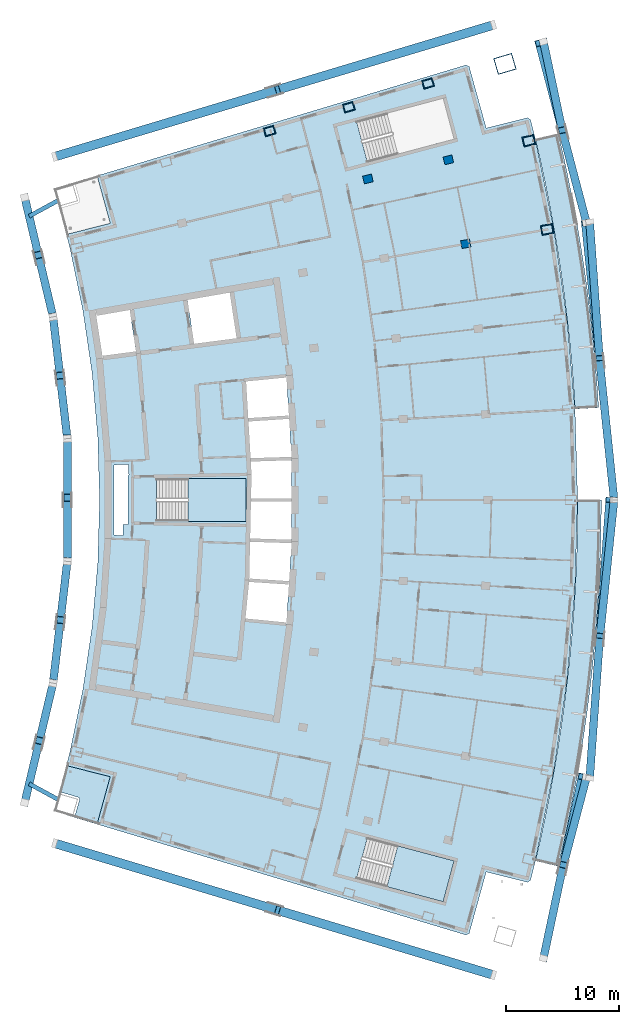
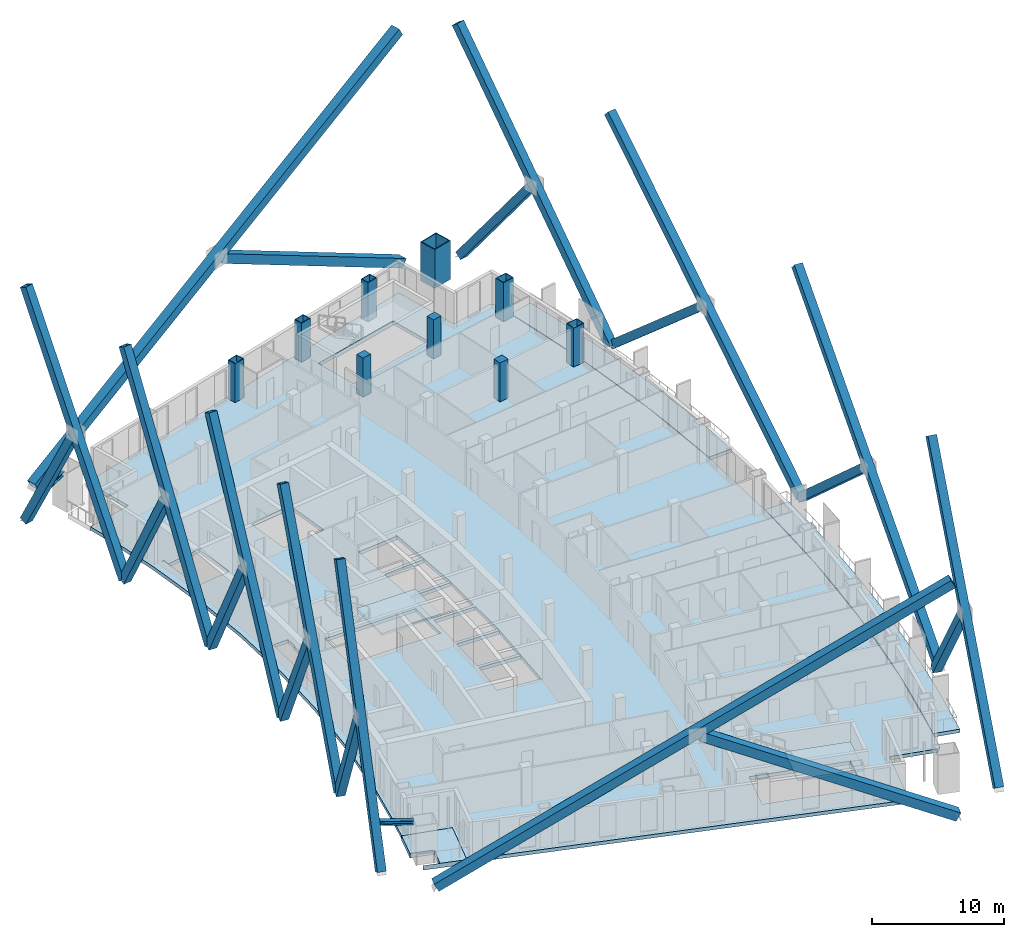
# One storey, part 8 of 20: 24 members, 9 columns, 6 slabs, 2 elements without a shape of their own.
"""IFC4 building model written with IfcOpenShell, lengths in metres."""

from ifc_helpers import new_model, si_unit, direction, frame, origin, origin_2d, place, context, subcontext, project, spatial, polyline, rectangle, hollow_rectangle, i_section, outline, extrude, material, layer, layer_set, material_profile, profile_set, type_object, element, aggregate, save


model = new_model("IFC4")

# Units and contexts
model_context = context("Model", 3, precision=1e-05, world=origin(), true_north=direction((0.0, 1.0)))
body_context = subcontext(model_context, "Body", "Model", "MODEL_VIEW")
ifc_project = project(units=[si_unit("LENGTHUNIT", "METRE"), si_unit("AREAUNIT", "SQUARE_METRE"), si_unit("VOLUMEUNIT", "CUBIC_METRE"), si_unit("PLANEANGLEUNIT", "RADIAN"), si_unit("MASSUNIT", "GRAM", prefix="KILO")], contexts=[model_context])

# Site, building, storey
site_placement = place(None, origin())
site = spatial("IfcSite", under=ifc_project, at=site_placement, CompositionType="ELEMENT")
building_placement = place(site_placement, origin())
building = spatial("IfcBuilding", under=site, at=building_placement, Name="Alderwake Tower", CompositionType="ELEMENT")
storey_placement = place(building_placement, frame((0.0, 0.0, 210.800048828125)))
storey = spatial("IfcBuildingStorey", under=building, at=storey_placement, Name="L52", CompositionType="ELEMENT", Elevation=210.800048828125)

# Columns
ifc_material_1 = material(Name="Steel ASTM A572 Grade 50 concrete filled C70/85", Category="concrete")
ifc_material_profile_1 = material_profile(ifc_material_1, hollow_rectangle(XDim=0.75, YDim=0.949951171875, WallThickness=0.054931640625, at=origin_2d()), Name="BOX 950X750X55")
ifc_profile_set_1 = profile_set([ifc_material_profile_1], Name="Steel ASTM A572 Grade 50 concrete filled C70/85")
column_type_1 = type_object("IfcColumnType", Name="End column Z4", PredefinedType="COLUMN", material=ifc_profile_set_1)
for number, where, z_axis, x_axis, name in (
    (1, (31.080322265625, 93.72314453125, 0.0), (0.0, 0.0, 1.0), (-0.282582549822, 0.959242984095, 0.0), "Column R12-C2"),
    (2, (38.10400390625, 95.831787109375, 0.0), (0.0, 0.0, 1.0), (-0.28287886882, 0.959155641997, 0.0), "Column R12-C3"),
    (3, (45.127685546875, 97.9404296875, 0.0), (0.0, 0.0, 1.0), (-0.283141682853, 0.959078092457, 0.0), "Column R12-C4"),
):
    element("IfcColumn", number, at=place(storey_placement, frame(where, z_axis=z_axis, x_axis=x_axis)), inside=storey, type_object=column_type_1, Name=name, PredefinedType="COLUMN", context=body_context, shape_type="SweptSolid", body=[
        extrude(hollow_rectangle(XDim=0.75, YDim=0.949951171875, WallThickness=0.054931640625, at=origin_2d()), origin(), (0.0, 0.0, 1.0), 3.599853515625),
    ])
ifc_material_2 = material(Name="Concrete C70/85", Category="concrete")
ifc_material_profile_2 = material_profile(ifc_material_2, rectangle(XDim=0.699951171875, YDim=0.800048828125, at=origin_2d()), Name="RC 800X700")
ifc_profile_set_2 = profile_set([ifc_material_profile_2], Name="Concrete C70/85")
column_type_2 = type_object("IfcColumnType", Name="Interior column Z4", PredefinedType="COLUMN", material=ifc_profile_set_2)
for number, where, z_axis, x_axis, name in (
    (4, (48.47412109375, 83.71533203125, 0.0), (0.0, 0.0, 1.0), (-0.174108800747, 0.984726421654, 0.0), "Column R10-C4"),
    (5, (39.79638671875, 89.47119140625, 0.0), (0.0, 0.0, 1.0), (-0.231221547198, 0.972901123502, 0.0), "Column R11-C3"),
    (6, (46.93115234375, 91.166748046875, 0.0), (0.0, 0.0, 1.0), (-0.231221547198, 0.972901123502, 0.0), "Column R11-C4"),
):
    element("IfcColumn", number, at=place(storey_placement, frame(where, z_axis=z_axis, x_axis=x_axis)), inside=storey, type_object=column_type_2, Name=name, PredefinedType="COLUMN", context=body_context, shape_type="SweptSolid", body=[
        extrude(rectangle(XDim=0.699951171875, YDim=0.800048828125, at=origin_2d()), origin(), (0.0, 0.0, 1.0), 3.599853515625),
    ])
ifc_material_3 = material(Name="Steel ASTM A572 Grade 50 concrete filled C70/85", Category="concrete")
ifc_material_profile_3 = material_profile(ifc_material_3, hollow_rectangle(XDim=1.5, YDim=1.699951171875, WallThickness=0.074951171875, at=origin_2d()), Name="BOX 1700X1500X75")
ifc_profile_set_3 = profile_set([ifc_material_profile_3], Name="Steel ASTM A572 Grade 50 concrete filled C70/85")
column_type_3 = type_object("IfcColumnType", Name="Mega column Z4", PredefinedType="COLUMN", material=ifc_profile_set_3)
column_placement = place(storey_placement, frame((51.9482421875, 99.677001953125, 0.0), z_axis=(0.0, 0.0, 1.0), x_axis=(-0.281288140428, 0.959623354267, 0.0)))
element("IfcColumn", 7, at=column_placement, inside=storey, type_object=column_type_3, Name="Column R12-C5", PredefinedType="COLUMN", context=body_context, shape_type="SweptSolid", body=[
    extrude(hollow_rectangle(XDim=1.5, YDim=1.699951171875, WallThickness=0.074951171875, at=origin_2d()), origin(), (0.0, 0.0, 1.0), 3.599853515625),
])
ifc_material_4 = material(Name="Steel ASTM A572 Grade 50 concrete filled C70/85", Category="concrete")
ifc_material_profile_4 = material_profile(ifc_material_4, hollow_rectangle(XDim=0.85009765625, YDim=1.050048828125, WallThickness=0.054931640625, at=origin_2d()), Name="BOX 1050X850X55")
ifc_profile_set_4 = profile_set([ifc_material_profile_4], Name="Steel ASTM A572 Grade 50 concrete filled C70/85")
column_type_4 = type_object("IfcColumnType", Name="Perimeter column Z4", PredefinedType="COLUMN", material=ifc_profile_set_4)
for number, where, z_axis, x_axis, name in (
    (8, (55.6953125, 84.9921875, 0.0), (0.0, 0.0, 1.0), (-0.174108800747, 0.984726421654, 0.0), "Column R10-C5"),
    (9, (54.06591796875, 92.8623046875, 0.0), (0.0, 0.0, 1.0), (-0.231221547198, 0.972901123502, 0.0), "Column R11-C5"),
):
    element("IfcColumn", number, at=place(storey_placement, frame(where, z_axis=z_axis, x_axis=x_axis)), inside=storey, type_object=column_type_4, Name=name, PredefinedType="COLUMN", context=body_context, shape_type="SweptSolid", body=[
        extrude(hollow_rectangle(XDim=0.85009765625, YDim=1.050048828125, WallThickness=0.054931640625, at=origin_2d()), origin(), (0.0, 0.0, 1.0), 3.599853515625),
    ])

# Members
ifc_material_5 = material(Name="Steel ASTM A992 Grade 50", Category="steel")
ifc_material_profile_5 = material_profile(ifc_material_5, i_section(OverallWidth=0.3740234375, OverallDepth=0.372314453125, WebThickness=0.016357421875, FlangeThickness=0.026123046875, at=origin_2d()), Name="W14X132")
ifc_profile_set_5 = profile_set([ifc_material_profile_5], Name="Steel ASTM A992 Grade 50")
member_type_1 = type_object("IfcMemberType", Name="Brace node stub W14X132", PredefinedType="MEMBER", material=ifc_profile_set_5)
for number, where, z_axis, x_axis, name in (
    (10, (12.35009765625, 34.422119140625, 3.393798828125), (-0.878318361421, 0.478076203121, 0.0), (-0.478076203121, -0.878318361421, 0.0), "Brace node stub BS.RR02-C0.2144"),
    (11, (12.35009765625, 87.577880859375, 3.393798828125), (-0.878318361421, -0.478076203121, 0.0), (0.478076203121, -0.878318361421, 0.0), "Brace node stub BS.RR12-C0.2144"),
):
    element("IfcMember", number, at=place(storey_placement, frame(where, z_axis=z_axis, x_axis=x_axis)), inside=storey, type_object=member_type_1, Name=name, PredefinedType="MEMBER", context=body_context, shape_type="SweptSolid", body=[
        extrude(i_section(OverallWidth=0.3740234375, OverallDepth=0.372314453125, WebThickness=0.016357421875, FlangeThickness=0.026123046875, at=origin_2d()), origin(), (0.0, 0.0, 1.0), 2.954833984375),
    ])
ifc_material_6 = material(Name="Steel ASTM A572 Grade 50", Category="steel")
ifc_material_profile_6 = material_profile(ifc_material_6, hollow_rectangle(XDim=0.800048828125, YDim=0.800048828125, WallThickness=0.050048828125, at=origin_2d()), Name="BOX 800X800X50")
ifc_profile_set_6 = profile_set([ifc_material_profile_6], Name="Steel ASTM A572 Grade 50")
member_type_2 = type_object("IfcMemberType", Name="Mega brace end Z4", PredefinedType="BRACE", material=ifc_profile_set_6)
member_1_placement = place(storey_placement, frame((12.031005859375, 30.550537109375, 0.0), z_axis=(0.843691226395, -0.253297286048, 0.473313426162), x_axis=(0.287545674858, 0.957766926173, 0.0)))
element("IfcMember", 12, at=member_1_placement, inside=storey, type_object=member_type_2, Name="Brace BRS4.2.0A", PredefinedType="BRACE", context=body_context, shape_type="SweptSolid", body=[
    extrude(hollow_rectangle(XDim=0.800048828125, YDim=0.800048828125, WallThickness=0.050048828125, at=origin_2d()), origin(), (0.0, 0.0, 1.0), 45.635498046875),
])
member_2_placement = place(storey_placement, frame((50.91650390625, 18.876220703125, 0.0), z_axis=(-0.845550826873, 0.253850855727, 0.469684513498), x_axis=(-0.287540761072, -0.957768401401, 0.0)))
element("IfcMember", 13, at=member_2_placement, inside=storey, type_object=member_type_2, Name="Brace BRS4.2.0B1", PredefinedType="BRACE", context=body_context, shape_type="SweptSolid", body=[
    extrude(hollow_rectangle(XDim=0.800048828125, YDim=0.800048828125, WallThickness=0.050048828125, at=origin_2d()), origin(), (0.0, 0.0, 1.0), 22.624267578125),
])
member_3_placement = place(storey_placement, frame((12.031005859375, 91.449462890625, 0.0), z_axis=(0.843691226395, 0.253297286048, 0.473313426162), x_axis=(-0.287545674858, 0.957766926173, 0.0)))
element("IfcMember", 14, at=member_3_placement, inside=storey, type_object=member_type_2, Name="Brace BRN4.2.0A", PredefinedType="BRACE", context=body_context, shape_type="SweptSolid", body=[
    extrude(hollow_rectangle(XDim=0.800048828125, YDim=0.800048828125, WallThickness=0.050048828125, at=origin_2d()), origin(), (0.0, 0.0, 1.0), 45.635498046875),
])
member_4_placement = place(storey_placement, frame((50.91650390625, 103.123779296875, 0.0), z_axis=(-0.845550826873, -0.253850855727, 0.469684513498), x_axis=(0.287540761072, -0.957768401401, 0.0)))
element("IfcMember", 15, at=member_4_placement, inside=storey, type_object=member_type_2, Name="Brace BRN4.2.0B1", PredefinedType="BRACE", context=body_context, shape_type="SweptSolid", body=[
    extrude(hollow_rectangle(XDim=0.800048828125, YDim=0.800048828125, WallThickness=0.050048828125, at=origin_2d()), origin(), (0.0, 0.0, 1.0), 22.624267578125),
])
ifc_material_7 = material(Name="Steel ASTM A572 Grade 50", Category="steel")
ifc_material_profile_7 = material_profile(ifc_material_7, hollow_rectangle(XDim=0.699951171875, YDim=0.699951171875, WallThickness=0.044921875, at=origin_2d()), Name="BOX 700X700X45")
ifc_profile_set_7 = profile_set([ifc_material_profile_7], Name="Steel ASTM A572 Grade 50")
member_type_3 = type_object("IfcMemberType", Name="Mega brace face Z4", PredefinedType="BRACE", material=ifc_profile_set_7)
member_5_placement = place(storey_placement, frame((55.3662109375, 20.359130859375, 0.0), z_axis=(0.125785305176, 0.592949339537, 0.795354724475), x_axis=(-0.978231388166, 0.207517110634, 0.0)))
element("IfcMember", 16, at=member_5_placement, inside=storey, type_object=member_type_3, Name="Brace BRF4.2.2A", PredefinedType="BRACE", context=body_context, shape_type="SweptSolid", body=[
    extrude(hollow_rectangle(XDim=0.699951171875, YDim=0.699951171875, WallThickness=0.044921875, at=origin_2d()), origin(), (0.0, 0.0, 1.0), 27.157470703125),
])
member_6_placement = place(storey_placement, frame((59.1767578125, 36.392333984375, 0.0), z_axis=(-0.154448091498, -0.586135303759, 0.795356016335), x_axis=(0.966992485035, -0.254804893765, 0.0)))
element("IfcMember", 17, at=member_6_placement, inside=storey, type_object=member_type_3, Name="Brace BRF4.2.2B1", PredefinedType="BRACE", context=body_context, shape_type="SweptSolid", body=[
    extrude(hollow_rectangle(XDim=0.699951171875, YDim=0.699951171875, WallThickness=0.044921875, at=origin_2d()), origin(), (0.0, 0.0, 1.0), 13.23388671875),
])
member_7_placement = place(storey_placement, frame((59.466552734375, 36.341064453125, 0.0), z_axis=(0.053664059108, 0.751140654397, 0.657957358855), x_axis=(-0.997457647001, 0.071261788073, 0.0)))
element("IfcMember", 18, at=member_7_placement, inside=storey, type_object=member_type_3, Name="Brace BRF4.2.4A", PredefinedType="BRACE", context=body_context, shape_type="SweptSolid", body=[
    extrude(hollow_rectangle(XDim=0.699951171875, YDim=0.699951171875, WallThickness=0.044921875, at=origin_2d()), origin(), (0.0, 0.0, 1.0), 32.82861328125),
])
member_8_placement = place(storey_placement, frame((61.6298828125, 61.0, 0.0), z_axis=(-0.07794309631, -0.749012664166, 0.657955091671), x_axis=(0.994629221539, -0.103502230223, 0.0)))
element("IfcMember", 19, at=member_8_placement, inside=storey, type_object=member_type_3, Name="Brace BRF4.2.4B1", PredefinedType="BRACE", context=body_context, shape_type="SweptSolid", body=[
    extrude(hollow_rectangle(XDim=0.699951171875, YDim=0.699951171875, WallThickness=0.044921875, at=origin_2d()), origin(), (0.0, 0.0, 1.0), 16.084228515625),
])
member_9_placement = place(storey_placement, frame((61.6298828125, 61.0, 0.0), z_axis=(-0.077937678029, 0.74901232042, 0.657956124831), x_axis=(-0.994629957328, -0.103495159236, 0.0)))
element("IfcMember", 20, at=member_9_placement, inside=storey, type_object=member_type_3, Name="Brace BRF4.2.7A", PredefinedType="BRACE", context=body_context, shape_type="SweptSolid", body=[
    extrude(hollow_rectangle(XDim=0.699951171875, YDim=0.699951171875, WallThickness=0.044921875, at=origin_2d()), origin(), (0.0, 0.0, 1.0), 32.82861328125),
])
member_10_placement = place(storey_placement, frame((59.466552734375, 85.658935546875, 0.0), z_axis=(0.053657248856, -0.751140768575, 0.657957783927), x_axis=(0.997458290548, 0.071252779717, 0.0)))
element("IfcMember", 21, at=member_10_placement, inside=storey, type_object=member_type_3, Name="Brace BRF4.2.7B1", PredefinedType="BRACE", context=body_context, shape_type="SweptSolid", body=[
    extrude(hollow_rectangle(XDim=0.699951171875, YDim=0.699951171875, WallThickness=0.044921875, at=origin_2d()), origin(), (0.0, 0.0, 1.0), 16.084228515625),
])
member_11_placement = place(storey_placement, frame((59.1767578125, 85.607666015625, 0.0), z_axis=(-0.154445051494, 0.586136051072, 0.795356055928), x_axis=(-0.966993800817, -0.254799900277, 0.0)))
element("IfcMember", 22, at=member_11_placement, inside=storey, type_object=member_type_3, Name="Brace BRF4.2.10A", PredefinedType="BRACE", context=body_context, shape_type="SweptSolid", body=[
    extrude(hollow_rectangle(XDim=0.699951171875, YDim=0.699951171875, WallThickness=0.044921875, at=origin_2d()), origin(), (0.0, 0.0, 1.0), 27.157470703125),
])
member_12_placement = place(storey_placement, frame((55.3662109375, 101.640869140625, 0.0), z_axis=(0.125798246603, -0.592943458581, 0.795357062002), x_axis=(0.978226635948, 0.207539511233, 0.0)))
element("IfcMember", 23, at=member_12_placement, inside=storey, type_object=member_type_3, Name="Brace BRF4.2.10B1", PredefinedType="BRACE", context=body_context, shape_type="SweptSolid", body=[
    extrude(hollow_rectangle(XDim=0.699951171875, YDim=0.699951171875, WallThickness=0.044921875, at=origin_2d()), origin(), (0.0, 0.0, 1.0), 13.23388671875),
])
member_13_placement = place(storey_placement, frame((9.359619140625, 34.171630859375, 0.0), z_axis=(0.104006952224, 0.437630728218, 0.893119196753), x_axis=(-0.972901726667, 0.23121900927, 0.0)))
element("IfcMember", 24, at=member_13_placement, inside=storey, type_object=member_type_3, Name="Brace BRR4.2.2A", PredefinedType="BRACE", context=body_context, shape_type="SweptSolid", body=[
    extrude(hollow_rectangle(XDim=0.699951171875, YDim=0.699951171875, WallThickness=0.044921875, at=origin_2d()), origin(), (0.0, 0.0, 1.0), 24.184814453125),
])
member_14_placement = place(storey_placement, frame((11.875, 44.755615234375, 0.0), z_axis=(-0.104005869599, -0.437625019805, 0.893122119942), x_axis=(0.972901589623, -0.231219585909, 0.0)))
element("IfcMember", 25, at=member_14_placement, inside=storey, type_object=member_type_3, Name="Brace BRR4.2.2B1", PredefinedType="BRACE", context=body_context, shape_type="SweptSolid", body=[
    extrude(hollow_rectangle(XDim=0.699951171875, YDim=0.699951171875, WallThickness=0.044921875, at=origin_2d()), origin(), (0.0, 0.0, 1.0), 11.65234375),
])
member_15_placement = place(storey_placement, frame((11.875, 44.755615234375, 0.0), z_axis=(0.052361737433, 0.446765647495, 0.893117408111), x_axis=(-0.993201825706, 0.116405040331, 0.0)))
element("IfcMember", 26, at=member_15_placement, inside=storey, type_object=member_type_3, Name="Brace BRR4.2.4A", PredefinedType="BRACE", context=body_context, shape_type="SweptSolid", body=[
    extrude(hollow_rectangle(XDim=0.699951171875, YDim=0.699951171875, WallThickness=0.044921875, at=origin_2d()), origin(), (0.0, 0.0, 1.0), 24.184814453125),
])
member_16_placement = place(storey_placement, frame((13.141357421875, 55.560546875, 0.0), z_axis=(-0.052359035792, -0.44675939183, 0.893120695753), x_axis=(0.993202331639, -0.11640072348, 0.0)))
element("IfcMember", 27, at=member_16_placement, inside=storey, type_object=member_type_3, Name="Brace BRR4.2.4B1", PredefinedType="BRACE", context=body_context, shape_type="SweptSolid", body=[
    extrude(hollow_rectangle(XDim=0.699951171875, YDim=0.699951171875, WallThickness=0.044921875, at=origin_2d()), origin(), (0.0, 0.0, 1.0), 11.65234375),
])
member_17_placement = place(storey_placement, frame((13.141357421875, 55.560546875, 0.0), z_axis=(0.0, 0.449824221612, 0.893117108587), x_axis=(-1.0, 0.0, 0.0)))
element("IfcMember", 28, at=member_17_placement, inside=storey, type_object=member_type_3, Name="Brace BRR4.2.6A", PredefinedType="BRACE", context=body_context, shape_type="SweptSolid", body=[
    extrude(hollow_rectangle(XDim=0.699951171875, YDim=0.699951171875, WallThickness=0.044921875, at=origin_2d()), origin(), (0.0, 0.0, 1.0), 24.184814453125),
])
member_18_placement = place(storey_placement, frame((13.141357421875, 66.439453125, 0.0), z_axis=(0.0, -0.449818123353, 0.893120179989), x_axis=(1.0, 0.0, 0.0)))
element("IfcMember", 29, at=member_18_placement, inside=storey, type_object=member_type_3, Name="Brace BRR4.2.6B1", PredefinedType="BRACE", context=body_context, shape_type="SweptSolid", body=[
    extrude(hollow_rectangle(XDim=0.699951171875, YDim=0.699951171875, WallThickness=0.044921875, at=origin_2d()), origin(), (0.0, 0.0, 1.0), 11.65234375),
])
member_19_placement = place(storey_placement, frame((13.141357421875, 66.439453125, 0.0), z_axis=(-0.052361737433, 0.446765647495, 0.893117408111), x_axis=(-0.993201825706, -0.116405040331, 0.0)))
element("IfcMember", 30, at=member_19_placement, inside=storey, type_object=member_type_3, Name="Brace BRR4.2.8A", PredefinedType="BRACE", context=body_context, shape_type="SweptSolid", body=[
    extrude(hollow_rectangle(XDim=0.699951171875, YDim=0.699951171875, WallThickness=0.044921875, at=origin_2d()), origin(), (0.0, 0.0, 1.0), 24.184814453125),
])
member_20_placement = place(storey_placement, frame((11.875, 77.244384765625, 0.0), z_axis=(0.05235854568, -0.446776161698, 0.893112335618), x_axis=(0.993202962699, 0.116395338763, 0.0)))
element("IfcMember", 31, at=member_20_placement, inside=storey, type_object=member_type_3, Name="Brace BRR4.2.8B1", PredefinedType="BRACE", context=body_context, shape_type="SweptSolid", body=[
    extrude(hollow_rectangle(XDim=0.699951171875, YDim=0.699951171875, WallThickness=0.044921875, at=origin_2d()), origin(), (0.0, 0.0, 1.0), 11.652587890625),
])
member_21_placement = place(storey_placement, frame((11.875, 77.244384765625, 0.0), z_axis=(-0.104006952224, 0.437630728218, 0.893119196753), x_axis=(-0.972901726667, -0.23121900927, 0.0)))
element("IfcMember", 32, at=member_21_placement, inside=storey, type_object=member_type_3, Name="Brace BRR4.2.10A", PredefinedType="BRACE", context=body_context, shape_type="SweptSolid", body=[
    extrude(hollow_rectangle(XDim=0.699951171875, YDim=0.699951171875, WallThickness=0.044921875, at=origin_2d()), origin(), (0.0, 0.0, 1.0), 24.184814453125),
])
member_22_placement = place(storey_placement, frame((9.359619140625, 87.828369140625, 0.0), z_axis=(0.104005869599, -0.437625019805, 0.893122119942), x_axis=(0.972901589623, 0.231219585909, 0.0)))
element("IfcMember", 33, at=member_22_placement, inside=storey, type_object=member_type_3, Name="Brace BRR4.2.10B1", PredefinedType="BRACE", context=body_context, shape_type="SweptSolid", body=[
    extrude(hollow_rectangle(XDim=0.699951171875, YDim=0.699951171875, WallThickness=0.044921875, at=origin_2d()), origin(), (0.0, 0.0, 1.0), 11.65234375),
])

# Slabs
ifc_material_8 = material(Name="Concrete C50/60", Category="concrete")
ifc_layer_1 = layer(ifc_material_8, 0.320068359375)
ifc_layer_set_1 = layer_set([ifc_layer_1], Name="Balcony slab 320")
slab_type_1 = type_object("IfcSlabType", Name="Balcony slab 320", PredefinedType="FLOOR", material=ifc_layer_set_1)
slab_1_placement = place(storey_placement, frame((0.0, 0.0, -0.320068359375)))
element("IfcSlab", 34, at=slab_1_placement, inside=storey, type_object=slab_type_1, Name="Balcony BF03", PredefinedType="FLOOR", context=body_context, shape_type="SweptSolid", body=[
    extrude(outline(polyline([(57.15185546875, 30.51025390625), (57.581787109375, 32.513427734375), (57.982666015625, 34.522705078125), (58.35400390625, 36.537841796875), (58.696044921875, 38.55810546875), (59.008544921875, 40.5830078125), (59.29150390625, 42.6123046875), (59.544921875, 44.6455078125), (59.7685546875, 46.68212890625), (59.96240234375, 48.721923828125), (60.126708984375, 50.764404296875), (60.260986328125, 52.808837890625), (60.365478515625, 54.85498046875), (60.440185546875, 56.902587890625), (60.485107421875, 58.951171875), (60.5, 61.0), (58.39990234375, 61.0), (58.38525390625, 58.981689453125), (58.341064453125, 56.9638671875), (58.267578125, 54.947021484375), (58.16455078125, 52.93115234375), (58.0322265625, 50.917236328125), (57.87060546875, 48.905517578125), (57.679443359375, 46.896240234375), (57.459228515625, 44.889892578125), (57.209716796875, 42.88720703125), (56.930908203125, 40.88818359375), (56.623046875, 38.893310546875), (56.2861328125, 36.9033203125), (55.92041015625, 34.918701171875), (55.525390625, 32.939208984375), (55.101806640625, 30.9658203125), (54.6494140625, 28.998779296875), (56.692626953125, 28.51318359375), (57.15185546875, 30.51025390625)])), origin(), (0.0, 0.0, 1.0), 0.320068359375),
])
slab_2_placement = place(storey_placement, frame((0.0, 0.0, -0.320068359375)))
element("IfcSlab", 35, at=slab_2_placement, inside=storey, type_object=slab_type_1, Name="Balcony BF08", PredefinedType="FLOOR", context=body_context, shape_type="SweptSolid", body=[
    extrude(outline(polyline([(59.96240234375, 73.278076171875), (59.7685546875, 75.31787109375), (59.544921875, 77.3544921875), (59.29150390625, 79.3876953125), (59.008544921875, 81.4169921875), (58.696044921875, 83.44189453125), (58.35400390625, 85.462158203125), (57.982666015625, 87.477294921875), (57.581787109375, 89.486572265625), (57.15185546875, 91.48974609375), (56.692626953125, 93.48681640625), (54.6494140625, 93.001220703125), (55.101806640625, 91.0341796875), (55.525390625, 89.060791015625), (55.92041015625, 87.081298828125), (56.2861328125, 85.0966796875), (56.623046875, 83.106689453125), (56.930908203125, 81.11181640625), (57.209716796875, 79.11279296875), (57.459228515625, 77.110107421875), (57.679443359375, 75.103759765625), (57.87060546875, 73.094482421875), (58.0322265625, 71.082763671875), (58.16455078125, 69.06884765625), (60.260986328125, 69.191162109375), (60.126708984375, 71.235595703125), (59.96240234375, 73.278076171875)])), origin(), (0.0, 0.0, 1.0), 0.320068359375),
])
ifc_material_9 = material(Name="Concrete C50/60", Category="concrete")
ifc_layer_2 = layer(ifc_material_9, 0.320068359375)
ifc_layer_set_2 = layer_set([ifc_layer_2], Name="Concrete C50/60 post-tensioned flat plate 320")
slab_type_2 = type_object("IfcSlabType", Name="Concrete C50/60 post-tensioned flat plate 320", PredefinedType="FLOOR", material=ifc_layer_set_2)
slab_3_placement = place(storey_placement, frame((0.0, 0.0, -0.320068359375)))
element("IfcSlab", 36, at=slab_3_placement, inside=storey, type_object=slab_type_2, Name="Floor slab L52", PredefinedType="FLOOR", context=body_context, shape_type="SweptSolid", body=[
    extrude(outline(polyline([(13.06494140625, 37.443115234375), (13.3984375, 38.802734375), (14.53369140625, 44.28564453125), (15.347412109375, 49.825439453125), (15.836669921875, 55.4033203125), (16.0, 61.0), (15.836669921875, 66.5966796875), (15.347412109375, 72.174560546875), (14.53369140625, 77.71435546875), (13.3984375, 83.197265625), (13.06494140625, 84.556884765625), (16.942626953125, 85.53857421875), (15.776611328125, 89.7548828125), (48.50341796875, 99.58056640625), (48.784912109375, 99.4248046875), (50.290771484375, 93.979736328125), (53.945556640625, 94.90478515625), (54.223388671875, 94.73779296875), (54.6494140625, 93.001220703125), (56.2861328125, 85.0966796875), (57.459228515625, 77.110107421875), (58.16455078125, 69.06884765625), (58.39990234375, 61.0), (58.16455078125, 52.93115234375), (57.459228515625, 44.889892578125), (56.2861328125, 36.9033203125), (54.6494140625, 28.998779296875), (54.223388671875, 27.26220703125), (53.945556640625, 27.09521484375), (50.290771484375, 28.020263671875), (48.784912109375, 22.5751953125), (48.50341796875, 22.41943359375), (15.776611328125, 32.2451171875), (16.942626953125, 36.46142578125), (13.06494140625, 37.443115234375)]), holes=[polyline([(29.2578125, 53.77197265625), (28.9365234375, 50.4912109375), (32.546875, 50.1376953125), (32.5322265625, 49.988525390625), (32.562255859375, 49.985595703125), (32.80126953125, 53.654541015625), (33.0400390625, 57.323486328125), (33.0400390625, 61.0), (33.0400390625, 64.676513671875), (32.80126953125, 68.345458984375), (32.562255859375, 72.014404296875), (32.532470703125, 72.011474609375), (32.547119140625, 71.8623046875), (28.886962890625, 71.50390625), (28.88720703125, 71.50048828125), (28.99462890625, 71.506591796875), (29.184814453125, 68.26025390625), (32.761474609375, 68.4931640625), (32.771240234375, 68.343505859375), (32.781005859375, 68.19384765625), (29.2021484375, 67.960693359375), (29.392578125, 64.7080078125), (33.005126953125, 64.82568359375), (33.010009765625, 64.67578125), (33.014892578125, 64.525634765625), (29.41015625, 64.408447265625), (29.4765625, 63.27685546875), (29.429443359375, 61.14990234375), (33.010009765625, 61.14990234375), (33.010009765625, 61.0), (33.010009765625, 60.85009765625), (29.4228515625, 60.85009765625), (29.350830078125, 57.593505859375), (33.014892578125, 57.474365234375), (33.010009765625, 57.32421875), (33.005126953125, 57.17431640625), (29.34423828125, 57.29345703125), (29.2705078125, 53.969482421875), (29.274169921875, 53.969482421875), (29.2783203125, 54.0341796875), (32.781005859375, 53.80615234375), (32.771240234375, 53.656494140625), (32.761474609375, 53.5068359375), (29.2587890625, 53.73486328125), (29.26123046875, 53.771728515625), (29.2578125, 53.77197265625)]), polyline([(21.050048828125, 62.875), (21.050048828125, 59.125), (29.0, 59.125), (29.0, 62.875), (21.050048828125, 62.875)]), polyline([(15.64111328125, 77.91015625), (15.487060546875, 77.8828125), (15.487548828125, 77.879150390625), (15.617919921875, 77.899169921875), (16.280029296875, 73.5927734375), (16.31005859375, 73.5966796875), (16.2841796875, 73.794921875), (19.224853515625, 74.1796875), (18.673095703125, 77.842041015625), (18.869140625, 77.87158203125), (18.8671875, 77.8837890625), (15.740234375, 77.340087890625), (15.64111328125, 77.91015625)]), polyline([(27.538330078125, 79.39111328125), (23.794921875, 78.740478515625), (24.384033203125, 74.8583984375), (24.36865234375, 74.856201171875), (24.369140625, 74.8525390625), (28.152587890625, 75.347412109375), (27.538330078125, 79.39111328125)]), polyline([(47.436279296875, 28.996826171875), (39.754150390625, 31.043212890625), (38.7890625, 27.41943359375), (46.47119140625, 25.373291015625), (47.436279296875, 28.996826171875)]), polyline([(46.47119140625, 96.626708984375), (38.7890625, 94.58056640625), (39.754150390625, 90.956787109375), (47.436279296875, 93.003173828125), (46.47119140625, 96.626708984375)]), polyline([(17.289306640625, 64.118408203125), (17.289306640625, 57.881591796875), (18.06298828125, 57.85400390625), (18.090576171875, 58.84375), (18.544189453125, 58.831298828125), (18.529296875, 58.8681640625), (18.5234375, 58.891845703125), (18.5185546875, 58.940673828125), (18.5185546875, 63.060302734375), (18.5234375, 63.109130859375), (18.53759765625, 63.156005859375), (18.560791015625, 63.19921875), (18.588623046875, 63.2333984375), (18.562744140625, 64.16357421875), (17.289306640625, 64.118408203125)])]), origin(), (0.0, 0.0, 1.0), 0.320068359375),
])

# Stair, slab
ifc_material_10 = material(Name="Concrete C40/50", Category="concrete")
stair_type = type_object("IfcStairType", Name="Core exit stair", PredefinedType="HALF_TURN_STAIR", material=ifc_material_10)
stair_1_placement = place(storey_placement, origin())
stair_1 = element("IfcStair", 37, at=stair_1_placement, inside=storey, type_object=stair_type, Name="L52 Exit Stair B", PredefinedType="HALF_TURN_STAIR")
ifc_material_11 = material(Name="Concrete C40/50", Category="concrete")
ifc_layer_3 = layer(ifc_material_11, 0.199951171875)
ifc_layer_set_3 = layer_set([ifc_layer_3], Name="Core stair landing 200")
slab_type_3 = type_object("IfcSlabType", Name="Core stair landing 200", PredefinedType="LANDING", material=ifc_layer_set_3)
slab_4_placement = place(storey_placement, frame((0.0, 0.0, 1.599853515625)))
slab_4 = element("IfcSlab", 38, at=slab_4_placement, type_object=slab_type_3, Name="ST-B landing 1", PredefinedType="LANDING", context=body_context, shape_type="SweptSolid", body=[
    extrude(outline(polyline([(23.830078125, 59.074951171875), (29.0, 59.074951171875), (29.0, 62.925048828125), (23.830078125, 62.925048828125), (23.830078125, 59.074951171875)])), origin(), (0.0, 0.0, 1.0), 0.2001953125),
])
aggregate(stair_1, [slab_4])

stair_2_placement = place(storey_placement, origin())
stair_2 = element("IfcStair", 39, at=stair_2_placement, inside=storey, type_object=stair_type, Name="L52 Exit Stair C", PredefinedType="HALF_TURN_STAIR")
slab_5_placement = place(storey_placement, frame((0.0, 0.0, 1.599853515625)))
slab_5 = element("IfcSlab", 40, at=slab_5_placement, type_object=slab_type_3, Name="ST-C landing 1", PredefinedType="LANDING", context=body_context, shape_type="SweptSolid", body=[
    extrude(outline(polyline([(41.475341796875, 26.703857421875), (46.47119140625, 25.373291015625), (47.436279296875, 28.996826171875), (42.4404296875, 30.32763671875), (41.475341796875, 26.703857421875)])), origin(), (0.0, 0.0, 1.0), 0.2001953125),
])
aggregate(stair_2, [slab_5])

# Slab
ifc_material_12 = material(Name="Concrete C50/60", Category="concrete")
ifc_layer_4 = layer(ifc_material_12, 0.419921875)
ifc_layer_set_4 = layer_set([ifc_layer_4], Name="Terrace slab 420")
slab_type_4 = type_object("IfcSlabType", Name="Terrace slab 420", PredefinedType="FLOOR", material=ifc_layer_set_4)
slab_6_placement = place(storey_placement, frame((0.0, 0.0, -0.420166015625)))
element("IfcSlab", 41, at=slab_6_placement, inside=storey, type_object=slab_type_4, Name="Corner terrace RS", PredefinedType="FLOOR", context=body_context, shape_type="SweptSolid", body=[
    extrude(outline(polyline([(15.776611328125, 32.2451171875), (12.517333984375, 33.2236328125), (13.628662109375, 32.901123046875), (13.64306640625, 32.897705078125), (13.65771484375, 32.895751953125), (13.67236328125, 32.895263671875), (13.68701171875, 32.896240234375), (13.701416015625, 32.8984375), (13.7158203125, 32.90234375), (13.7294921875, 32.907470703125), (13.742919921875, 32.913818359375), (13.75537109375, 32.921630859375), (13.76708984375, 32.930419921875), (13.77783203125, 32.9404296875), (13.78759765625, 32.951416015625), (13.796142578125, 32.96337890625), (13.8037109375, 32.976318359375), (13.809814453125, 32.989501953125), (13.814453125, 33.00341796875), (14.232421875, 34.444091796875), (14.23583984375, 34.45849609375), (14.23779296875, 34.472900390625), (14.23828125, 34.48779296875), (14.237548828125, 34.50244140625), (14.235107421875, 34.516845703125), (14.2314453125, 34.53125), (14.226318359375, 34.544921875), (14.2197265625, 34.55810546875), (14.212158203125, 34.57080078125), (14.203125, 34.58251953125), (14.193115234375, 34.59326171875), (14.18212890625, 34.60302734375), (14.170166015625, 34.611572265625), (14.157470703125, 34.618896484375), (14.14404296875, 34.625244140625), (14.130126953125, 34.6298828125), (12.49755859375, 35.103515625), (12.483154296875, 35.10693359375), (12.468505859375, 35.10888671875), (12.453857421875, 35.109619140625), (12.4404296875, 35.108642578125), (12.71142578125, 36.08837890625), (13.06494140625, 37.443115234375), (16.942626953125, 36.46142578125), (15.776611328125, 32.2451171875)])), origin(), (0.0, 0.0, 1.0), 0.420166015625),
])

save(model, "model.ifc")
